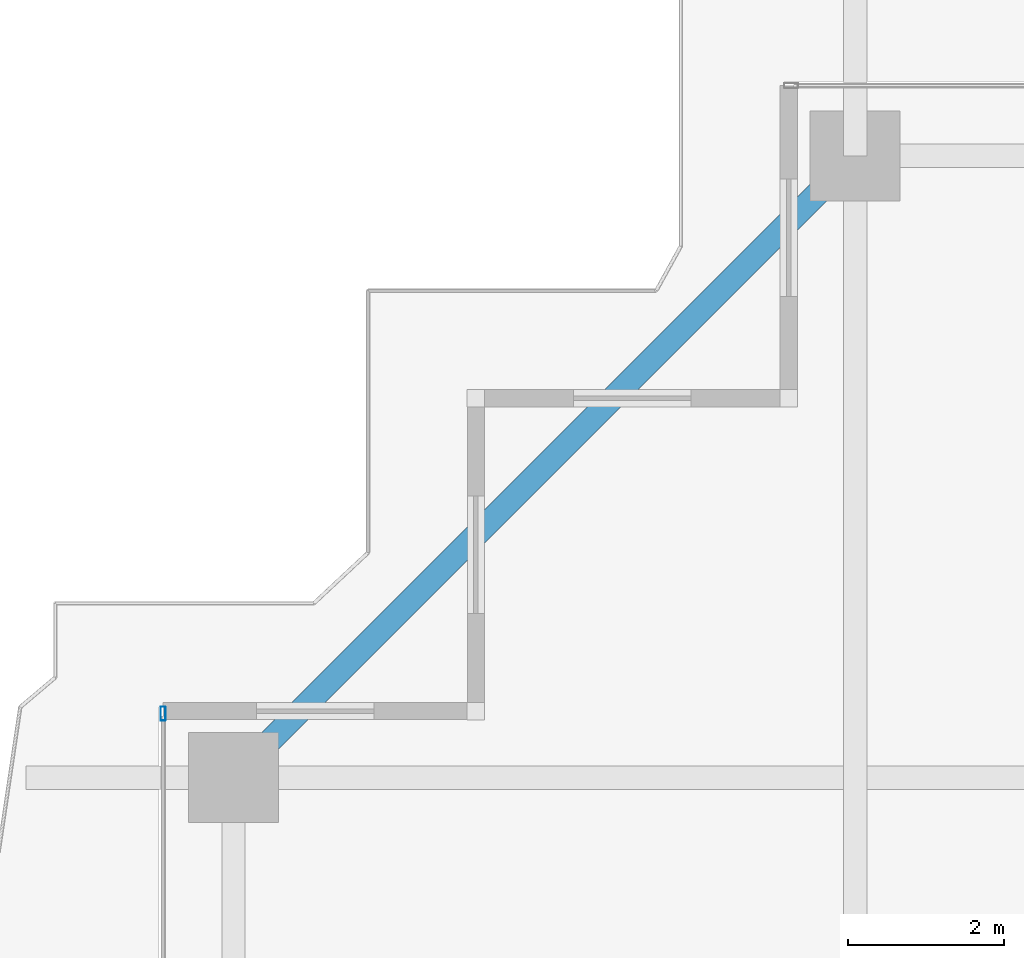
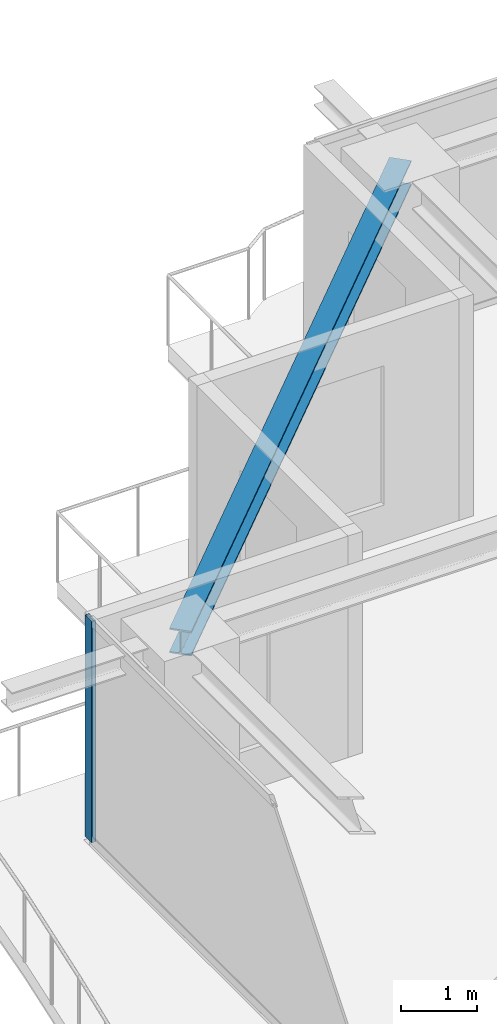
# One storey, part 19 of 38: 1 beam, 1 member, 1 element without a shape of its own.
"""IFC4 building model written with IfcOpenShell, lengths in metres."""

from ifc_helpers import new_model, si_unit, direction, frame, origin, origin_2d, place, context, subcontext, project, spatial, hollow_rectangle, i_section, extrude, source, transform, mapped, material, layer, layer_set, material_profile, profile_set, type_object, element, aggregate, save


model = new_model("IFC4")

# Units and contexts
model_context = context("Model", 3, precision=1e-05, world=origin(), true_north=direction((0.0, 1.0)))
body_context = subcontext(model_context, "Body", "Model", "MODEL_VIEW")
ifc_project = project(units=[si_unit("LENGTHUNIT", "METRE"), si_unit("AREAUNIT", "SQUARE_METRE"), si_unit("VOLUMEUNIT", "CUBIC_METRE"), si_unit("PLANEANGLEUNIT", "RADIAN"), si_unit("MASSUNIT", "GRAM", prefix="KILO")], contexts=[model_context])

# Site, building, storey
site_placement = place(None, origin())
site = spatial("IfcSite", under=ifc_project, at=site_placement, CompositionType="ELEMENT")
building_placement = place(site_placement, origin())
building = spatial("IfcBuilding", under=site, at=building_placement, Name="Serunith Strait Residences", CompositionType="ELEMENT")
storey_placement = place(building_placement, frame((0.0, 0.0, 268.199951171875)))
storey = spatial("IfcBuildingStorey", under=building, at=storey_placement, Name="L67", CompositionType="ELEMENT", Elevation=268.199951171875)

# Beam
ifc_material_1 = material(Name="Steel S355J2", Category="steel")
ifc_material_profile_1 = material_profile(ifc_material_1, i_section(OverallWidth=0.300048828125, OverallDepth=0.39990234375, WebThickness=0.013427734375, FlangeThickness=0.02392578125, FilletRadius=0.027099609375, at=origin_2d()), Name="HEB 400")
ifc_profile_set_1 = profile_set([ifc_material_profile_1], Name="Steel S355J2")
beam_type = type_object("IfcBeamType", Name="BM-HEB400", PredefinedType="BEAM", material=ifc_profile_set_1)
shared_shape_1 = source(origin(), body_context, "Body", "SweptSolid", [
    extrude(i_section(OverallWidth=0.300048828125, OverallDepth=0.39990234375, WebThickness=0.013427734375, FlangeThickness=0.02392578125, FilletRadius=0.027099609375, at=origin_2d()), origin(), (0.0, 0.0, 1.0), 11.242919921875),
])
beam_placement = place(storey_placement, frame((16.25, 48.300048828125, 3.35693359375), z_axis=(-0.707106781187, -0.707106781187, 0.0), x_axis=(0.707106781187, -0.707106781187, 0.0)))
element("IfcBeam", 1, at=beam_placement, inside=storey, type_object=beam_type, Name="L67 Perimeter Ring Beam 12", PredefinedType="BEAM", context=body_context, shape_type="MappedRepresentation", body=[
    mapped(shared_shape_1, transform((0.0, 0.0, 0.0), scale=1.0)),
])

# Curtain wall, member
ifc_material_2 = material(Name="Pale-Champagne Anodised Aluminium", Category="aluminium")
ifc_layer = layer(ifc_material_2, 0.199951171875, Name="Pale-Champagne Anodised Aluminium")
ifc_layer_set = layer_set([ifc_layer], Name="Pale-Champagne Anodised Aluminium")
curtain_wall_type = type_object("IfcCurtainWallType", Name="CW-SYS4", PredefinedType="NOTDEFINED", material=ifc_layer_set)
curtain_wall_placement = place(storey_placement, origin())
curtain_wall = element("IfcCurtainWall", 2, at=curtain_wall_placement, inside=storey, type_object=curtain_wall_type, Name="L67 W Unitised Fritted Curtain Wall", PredefinedType="NOTDEFINED")
ifc_material_profile_2 = material_profile(ifc_material_2, hollow_rectangle(XDim=0.06494140625, YDim=0.179931640625, WallThickness=0.00341796875, InnerFilletRadius=0.00537109375, OuterFilletRadius=0.0087890625, at=origin_2d()), Name="ALU 180x65x3.5")
ifc_profile_set_2 = profile_set([ifc_material_profile_2], Name="Pale-Champagne Anodised Aluminium")
member_type = type_object("IfcMemberType", Name="CW-SYS4-MULL", PredefinedType="MULLION", material=ifc_profile_set_2)
shared_shape_2 = source(origin(), body_context, "Body", "SweptSolid", [
    extrude(hollow_rectangle(XDim=0.06494140625, YDim=0.179931640625, WallThickness=0.00341796875, InnerFilletRadius=0.00537109375, OuterFilletRadius=0.0087890625, at=origin_2d()), origin(), (0.0, 0.0, 1.0), 3.574951171875),
])
member_placement = place(storey_placement, frame((7.39990234375, 41.16748046875, 0.0), z_axis=(0.0, 0.0, 1.0), x_axis=(1.0, 0.0, 0.0)))
member = element("IfcMember", 3, at=member_placement, type_object=member_type, Name="CW-4 mullion 1", PredefinedType="MULLION", context=body_context, shape_type="MappedRepresentation", body=[
    mapped(shared_shape_2, transform((0.0, 0.0, 0.0), scale=1.0)),
])
aggregate(curtain_wall, [member])

save(model, "model.ifc")
